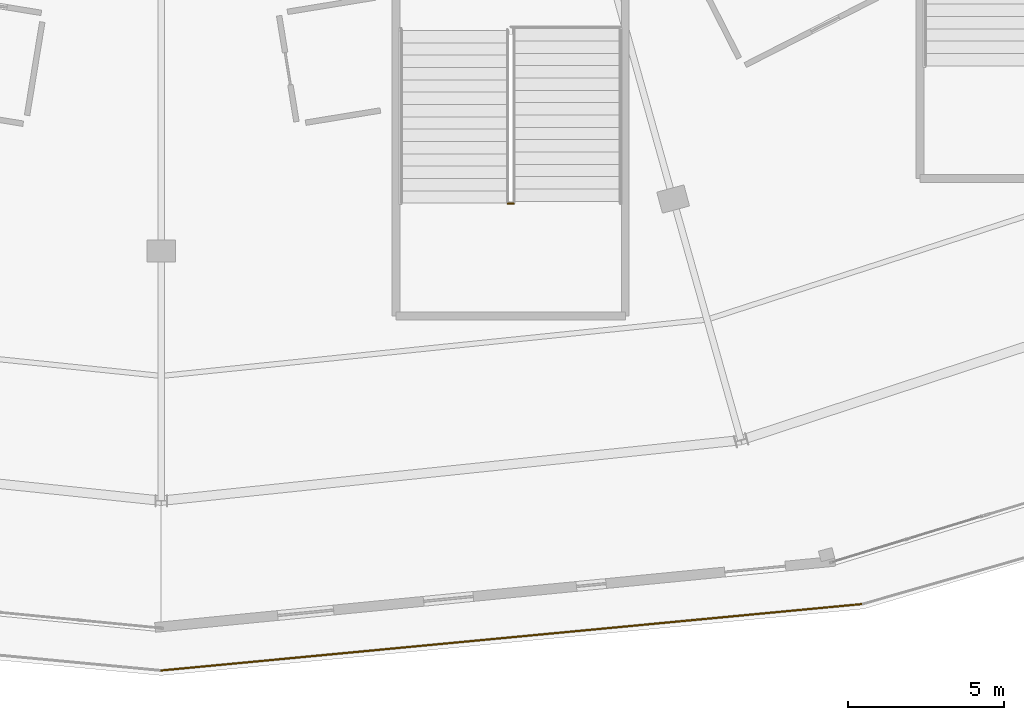
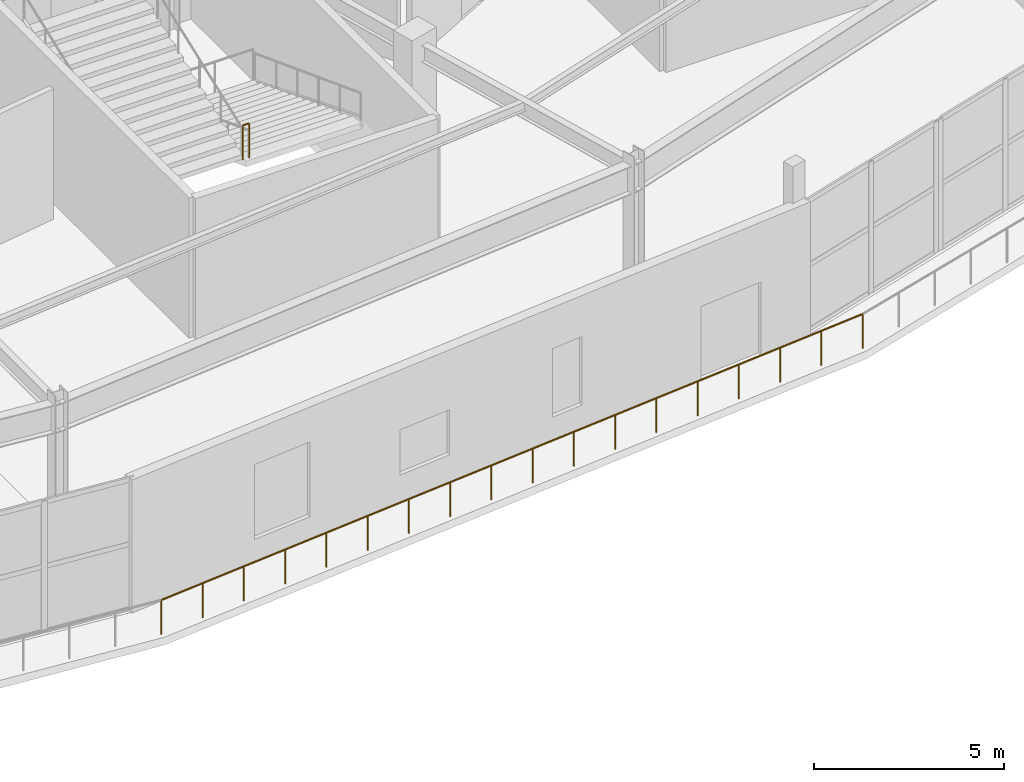
# One storey, part 107 of 123: 2 railings.
"""IFC4 building model written with IfcOpenShell, lengths in metres."""

from ifc_helpers import new_model, si_unit, direction, frame, origin, origin_2d, place, context, subcontext, project, spatial, circle, extrude, material, type_object, element, save


model = new_model("IFC4")

# Units and contexts
model_context = context("Model", 3, precision=1e-05, world=origin(), true_north=direction((0.0, 1.0)))
body_context = subcontext(model_context, "Body", "Model", "MODEL_VIEW")
ifc_project = project(units=[si_unit("LENGTHUNIT", "METRE"), si_unit("AREAUNIT", "SQUARE_METRE"), si_unit("VOLUMEUNIT", "CUBIC_METRE"), si_unit("PLANEANGLEUNIT", "RADIAN"), si_unit("MASSUNIT", "GRAM", prefix="KILO")], contexts=[model_context])

# Site, building, storey
site_placement = place(None, origin())
site = spatial("IfcSite", under=ifc_project, at=site_placement, CompositionType="ELEMENT")
building_placement = place(site_placement, origin())
building = spatial("IfcBuilding", under=site, at=building_placement, Name="Kalgoora Escarpment Arena", CompositionType="ELEMENT")
storey_placement = place(building_placement, frame((0.0, 0.0, 9.89990234375)))
storey = spatial("IfcBuildingStorey", under=building, at=storey_placement, Name="L02", CompositionType="ELEMENT", Elevation=9.89990234375)

# Railings
ifc_material_1 = material(Name="Galvanised & powdercoated tubular steel", Category="steel")
railing_type_1 = type_object("IfcRailingType", Name="RAL-GUARD-1120", PredefinedType="GUARDRAIL", material=ifc_material_1)
railing_1_placement = place(storey_placement, frame((103.695068359375, 16.52001953125, 2.25)))
element("IfcRailing", 1, at=railing_1_placement, inside=storey, type_object=railing_type_1, Name="ST15 L02 half-landing well guard", PredefinedType="GUARDRAIL", context=body_context, shape_type="SweptSolid", body=[
    extrude(circle(Radius=0.02392578125, at=origin_2d()), frame((0.0, 0.0, 1.09619140625), z_axis=(-1.0, 0.0, 0.0), x_axis=(0.0, -1.0, 0.0)), (0.0, 0.0, 1.0), 0.190185546875),
    extrude(circle(Radius=0.02099609375, at=origin_2d()), origin(), (0.0, 0.0, 1.0), 1.072021484375),
    extrude(circle(Radius=0.02099609375, at=origin_2d()), frame((-0.190185546875, 0.0, 0.0)), (0.0, 0.0, 1.0), 1.072021484375),
])
ifc_material_2 = material(Name="Champagne anodised aluminium & laminated glass", Category="aluminium")
railing_type_2 = type_object("IfcRailingType", Name="RAL-TERR-1100", PredefinedType="GUARDRAIL", material=ifc_material_2)
railing_2_placement = place(storey_placement, frame((114.88671875, 3.69091796875, 0.0)))
element("IfcRailing", 2, at=railing_2_placement, inside=storey, type_object=railing_type_2, Name="Middle Planted Elliptical Garden Promenade perimeter guardrail 023", PredefinedType="GUARDRAIL", context=body_context, shape_type="SweptSolid", body=[
    extrude(circle(Radius=0.02392578125, at=origin_2d()), frame((0.0, 0.0, 1.09619140625), z_axis=(-0.995543292065, -0.094305639408, 0.0), x_axis=(0.094305639408, -0.995543292065, 0.0)), (0.0, 0.0, 1.0), 22.58740234375),
    extrude(circle(Radius=0.02099609375, at=origin_2d()), origin(), (0.0, 0.0, 1.0), 1.072021484375),
    extrude(circle(Radius=0.02099609375, at=origin_2d()), frame((-1.32275390625, -0.125244140625, 0.0)), (0.0, 0.0, 1.0), 1.072021484375),
    extrude(circle(Radius=0.02099609375, at=origin_2d()), frame((-2.6455078125, -0.25048828125, 0.0)), (0.0, 0.0, 1.0), 1.072021484375),
    extrude(circle(Radius=0.02099609375, at=origin_2d()), frame((-3.96826171875, -0.3759765625, 0.0)), (0.0, 0.0, 1.0), 1.072021484375),
    extrude(circle(Radius=0.02099609375, at=origin_2d()), frame((-5.291015625, -0.501220703125, 0.0)), (0.0, 0.0, 1.0), 1.072021484375),
    extrude(circle(Radius=0.02099609375, at=origin_2d()), frame((-6.61376953125, -0.62646484375, 0.0)), (0.0, 0.0, 1.0), 1.072021484375),
    extrude(circle(Radius=0.02099609375, at=origin_2d()), frame((-7.9365234375, -0.751708984375, 0.0)), (0.0, 0.0, 1.0), 1.072021484375),
    extrude(circle(Radius=0.02099609375, at=origin_2d()), frame((-9.25927734375, -0.877197265625, 0.0)), (0.0, 0.0, 1.0), 1.072021484375),
    extrude(circle(Radius=0.02099609375, at=origin_2d()), frame((-10.58203125, -1.00244140625, 0.0)), (0.0, 0.0, 1.0), 1.072021484375),
    extrude(circle(Radius=0.02099609375, at=origin_2d()), frame((-11.90478515625, -1.127685546875, 0.0)), (0.0, 0.0, 1.0), 1.072021484375),
    extrude(circle(Radius=0.02099609375, at=origin_2d()), frame((-13.2275390625, -1.2529296875, 0.0)), (0.0, 0.0, 1.0), 1.072021484375),
    extrude(circle(Radius=0.02099609375, at=origin_2d()), frame((-14.55029296875, -1.37841796875, 0.0)), (0.0, 0.0, 1.0), 1.072021484375),
    extrude(circle(Radius=0.02099609375, at=origin_2d()), frame((-15.873046875, -1.503662109375, 0.0)), (0.0, 0.0, 1.0), 1.072021484375),
    extrude(circle(Radius=0.02099609375, at=origin_2d()), frame((-17.19580078125, -1.62890625, 0.0)), (0.0, 0.0, 1.0), 1.072021484375),
    extrude(circle(Radius=0.02099609375, at=origin_2d()), frame((-18.5185546875, -1.754150390625, 0.0)), (0.0, 0.0, 1.0), 1.072021484375),
    extrude(circle(Radius=0.02099609375, at=origin_2d()), frame((-19.84130859375, -1.879638671875, 0.0)), (0.0, 0.0, 1.0), 1.072021484375),
    extrude(circle(Radius=0.02099609375, at=origin_2d()), frame((-21.1640625, -2.0048828125, 0.0)), (0.0, 0.0, 1.0), 1.072021484375),
    extrude(circle(Radius=0.02099609375, at=origin_2d()), frame((-22.48681640625, -2.130126953125, 0.0)), (0.0, 0.0, 1.0), 1.072021484375),
])

save(model, "model.ifc")
